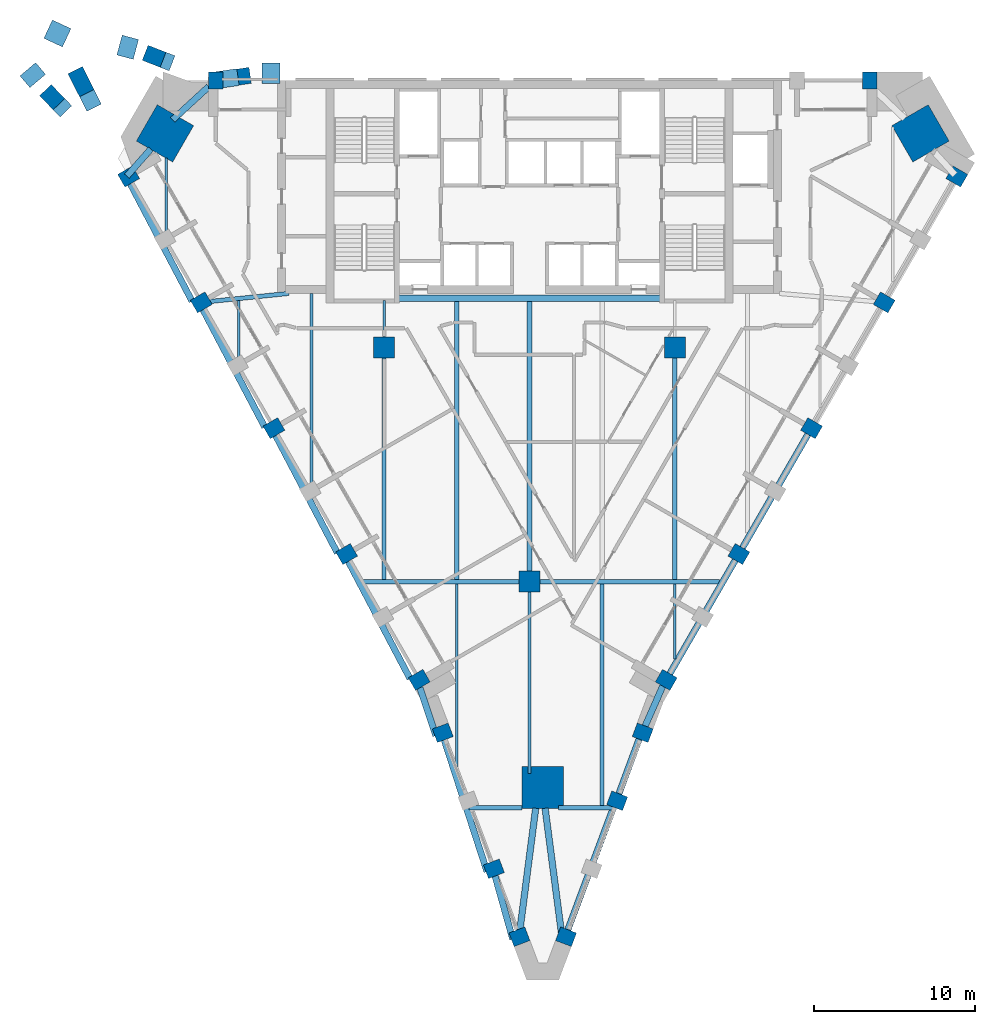
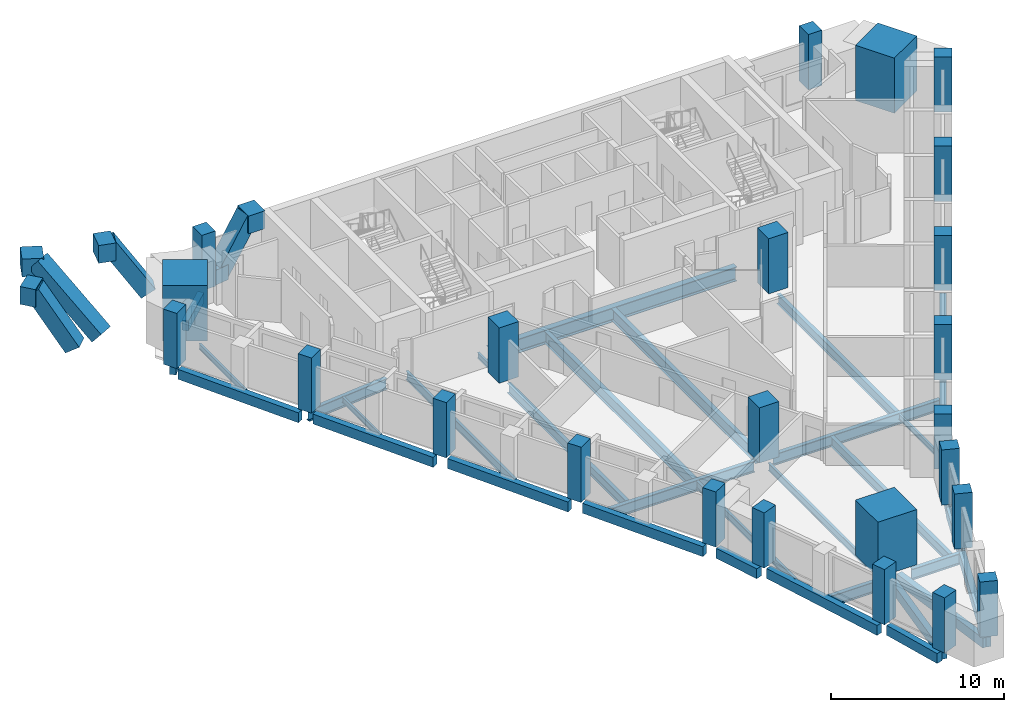
# One storey, part 1 of 10: 39 beams, 28 columns.
"""IFC4 building model written with IfcOpenShell, lengths in metres."""

from ifc_helpers import new_model, si_unit, direction, frame, origin, origin_2d, place, context, subcontext, project, spatial, rectangle, i_section, extrude, clip, halfspace, material, material_profile, profile_set, type_object, element, save


model = new_model("IFC4")

# Units and contexts
model_context = context("Model", 3, precision=1e-05, world=origin(), true_north=direction((0.0, 1.0)))
body_context = subcontext(model_context, "Body", "Model", "MODEL_VIEW")
ifc_project = project(units=[si_unit("LENGTHUNIT", "METRE"), si_unit("AREAUNIT", "SQUARE_METRE"), si_unit("VOLUMEUNIT", "CUBIC_METRE"), si_unit("PLANEANGLEUNIT", "RADIAN"), si_unit("MASSUNIT", "GRAM", prefix="KILO")], contexts=[model_context])

# Site, building, storey
site_placement = place(None, origin())
site = spatial("IfcSite", under=ifc_project, at=site_placement, CompositionType="ELEMENT")
building_placement = place(site_placement, origin())
building = spatial("IfcBuilding", under=site, at=building_placement, Name="Calabash Gate Tower", CompositionType="ELEMENT")
storey_placement = place(building_placement, frame((0.0, 0.0, 187.5)))
storey = spatial("IfcBuildingStorey", under=building, at=storey_placement, Name="L44", CompositionType="ELEMENT", Elevation=187.5)

# Columns
ifc_material_1 = material(Name="Concrete C70/85", Category="concrete")
ifc_material_profile_1 = material_profile(ifc_material_1, rectangle(XDim=1.300048828125, YDim=1.300048828125, at=origin_2d()))
ifc_profile_set_1 = profile_set([ifc_material_profile_1], Name="Concrete C70/85")
column_type_1 = type_object("IfcColumnType", Name="Interior column RC 1300x1300 Concrete C70/85", PredefinedType="COLUMN", material=ifc_profile_set_1)
for number, where, z_axis, x_axis, name in (
    (1, (-9.0, 2.5, 0.0), (0.0, 0.0, 1.0), (1.0, 0.0, 0.0), "Interior column L44 I0"),
    (2, (9.0, 2.5, 0.0), (0.0, 0.0, 1.0), (1.0, 0.0, 0.0), "Interior column L44 I1"),
    (3, (0.0, -12.0, 0.0), (0.0, 0.0, 1.0), (1.0, 0.0, 0.0), "Interior column L44 I2"),
):
    element("IfcColumn", number, at=place(storey_placement, frame(where, z_axis=z_axis, x_axis=x_axis)), inside=storey, type_object=column_type_1, Name=name, PredefinedType="COLUMN", context=body_context, shape_type="SweptSolid", body=[
        extrude(rectangle(XDim=1.300048828125, YDim=1.300048828125, at=origin_2d()), origin(), (0.0, 0.0, 1.0), 3.89990234375),
    ])
ifc_material_2 = material(Name="Concrete C70/85", Category="concrete")
ifc_material_profile_2 = material_profile(ifc_material_2, rectangle(XDim=2.60009765625, YDim=2.60009765625, at=origin_2d()))
ifc_profile_set_2 = profile_set([ifc_material_profile_2], Name="Concrete C70/85")
column_type_2 = type_object("IfcColumnType", Name="Mega column RC 2600x2600 Concrete C70/85", PredefinedType="COLUMN", material=ifc_profile_set_2)
for number, where, z_axis, x_axis, name in (
    (4, (-22.577880859375, 15.76806640625, 0.0), (0.0, 0.0, 1.0), (0.866025421238, -0.49999996977, 0.0), "Mega column L44 NW"),
    (5, (24.221923828125, 15.76806640625, 0.0), (0.0, 0.0, 1.0), (-0.866025421238, -0.49999996977, 0.0), "Mega column L44 NE"),
    (6, (0.822021484375, -24.762939453125, 0.0), (0.0, 0.0, 1.0), (0.0, 1.0, 0.0), "Mega column L44 S"),
):
    element("IfcColumn", number, at=place(storey_placement, frame(where, z_axis=z_axis, x_axis=x_axis)), inside=storey, type_object=column_type_2, Name=name, PredefinedType="COLUMN", context=body_context, shape_type="SweptSolid", body=[
        extrude(rectangle(XDim=2.60009765625, YDim=2.60009765625, at=origin_2d()), origin(), (0.0, 0.0, 1.0), 3.89990234375),
    ])
ifc_material_3 = material(Name="Concrete C60/75", Category="concrete")
ifc_material_profile_3 = material_profile(ifc_material_3, rectangle(XDim=0.89990234375, YDim=1.050048828125, at=origin_2d()))
ifc_profile_set_3 = profile_set([ifc_material_profile_3], Name="Concrete C60/75")
column_type_3 = type_object("IfcColumnType", Name="Perimeter column RC 900x1050 Concrete C60/75", PredefinedType="COLUMN", material=ifc_profile_set_3)
for number, where, z_axis, x_axis, name in (
    (7, (-24.827880859375, 13.096923828125, 0.0), (0.0, 0.0, 1.0), (0.5, -0.866025403784, 0.0), "Perimeter column L44 P20"),
    (8, (-20.327880859375, 5.300048828125, 0.0), (0.0, 0.0, 1.0), (0.5, -0.866025403784, 0.0), "Perimeter column L44 P00"),
    (9, (-15.827880859375, -2.493896484375, 0.0), (0.0, 0.0, 1.0), (0.5, -0.866025403784, 0.0), "Perimeter column L44 P01"),
    (10, (-11.327880859375, -10.2880859375, 0.0), (0.0, 0.0, 1.0), (0.5, -0.866025403784, 0.0), "Perimeter column L44 P02"),
    (11, (-6.827880859375, -18.08203125, 0.0), (0.0, 0.0, 1.0), (0.5, -0.866025403784, 0.0), "Perimeter column L44 P03"),
    (12, (-5.3701171875, -21.35888671875, 0.0), (0.0, 0.0, 1.0), (0.351822500991, -0.936066732555, 0.0), "Perimeter column L44 P25"),
    (13, (-2.202880859375, -29.783935546875, 0.0), (0.0, 0.0, 1.0), (0.351822500991, -0.936066732555, 0.0), "Perimeter column L44 P26"),
    (14, (-0.6201171875, -33.99609375, 0.0), (0.0, 0.0, 1.0), (0.351822500991, -0.936066732555, 0.0), "Perimeter column L44 P27"),
    (15, (2.263916015625, -33.99609375, 0.0), (0.0, 0.0, 1.0), (0.351822451979, 0.936066750977, 0.0), "Perimeter column L44 P28"),
    (16, (5.429931640625, -25.571044921875, 0.0), (0.0, 0.0, 1.0), (0.351822451979, 0.936066750977, 0.0), "Perimeter column L44 P08"),
    (17, (7.012939453125, -21.35888671875, 0.0), (0.0, 0.0, 1.0), (0.351822451979, 0.936066750977, 0.0), "Perimeter column L44 P29"),
    (18, (8.471923828125, -18.08203125, 0.0), (0.0, 0.0, 1.0), (0.5, 0.866025403784, 0.0), "Perimeter column L44 P09"),
    (19, (12.971923828125, -10.2880859375, 0.0), (0.0, 0.0, 1.0), (0.5, 0.866025403784, 0.0), "Perimeter column L44 P10"),
    (20, (17.471923828125, -2.493896484375, 0.0), (0.0, 0.0, 1.0), (0.5, 0.866025403784, 0.0), "Perimeter column L44 P11"),
    (21, (21.971923828125, 5.300048828125, 0.0), (0.0, 0.0, 1.0), (0.5, 0.866025403784, 0.0), "Perimeter column L44 P12"),
    (22, (26.471923828125, 13.096923828125, 0.0), (0.0, 0.0, 1.0), (0.5, 0.866025403784, 0.0), "Perimeter column L44 P13"),
    (23, (21.072021484375, 19.052978515625, 0.0), (0.0, 0.0, 1.0), (-1.0, 0.0, 0.0), "Perimeter column L44 P24"),
    (24, (-19.427978515625, 19.052978515625, 0.0), (0.0, 0.0, 1.0), (-1.0, 0.0, 0.0), "Perimeter column L44 P17"),
):
    element("IfcColumn", number, at=place(storey_placement, frame(where, z_axis=z_axis, x_axis=x_axis)), inside=storey, type_object=column_type_3, Name=name, PredefinedType="COLUMN", context=body_context, shape_type="SweptSolid", body=[
        extrude(rectangle(XDim=0.89990234375, YDim=1.050048828125, at=origin_2d()), origin(), (0.0, 0.0, 1.0), 3.89990234375),
    ])
ifc_material_4 = material(Name="Concrete C80/95", Category="concrete")
ifc_material_profile_4 = material_profile(ifc_material_4, rectangle(XDim=1.0, YDim=1.0, at=origin_2d()))
ifc_profile_set_4 = profile_set([ifc_material_profile_4], Name="Concrete C80/95")
column_type_4 = type_object("IfcColumnType", Name="Prow kicker column RC 1000x1000 Concrete C80/95", PredefinedType="COLUMN", material=ifc_profile_set_4)
column_1_placement = place(storey_placement, frame((-18.47900390625, 19.19091796875, 0.388916015625), z_axis=(0.572757678117, 0.083637023584, 0.815446804178), x_axis=(-0.80688939197, -0.117826141288, 0.578832021882)))
element("IfcColumn", 25, at=column_1_placement, inside=storey, type_object=column_type_4, Name="Prow kicker column L44 KP31", PredefinedType="COLUMN", context=body_context, shape_type="Clipping", body=[
    clip(extrude(rectangle(XDim=1.0, YDim=1.0, at=origin_2d()), origin(), (0.0, 0.0, 1.0), 4.3056640625), halfspace(frame((0.0, 0.0, 3.945556640625), z_axis=(0.0, 0.0, 1.0), x_axis=(1.0, 0.0, 0.0)), False)),
])
column_2_placement = place(storey_placement, frame((-22.530029296875, 20.260986328125, 0.0), z_axis=(-0.503854098223, 0.196265073587, 0.841196212898), x_axis=(0.783829564406, -0.30532324274, 0.540729998618)))
element("IfcColumn", 26, at=column_2_placement, inside=storey, type_object=column_type_4, Name="Prow kicker column L44 KP32", PredefinedType="COLUMN", context=body_context, shape_type="Clipping", body=[
    clip(extrude(rectangle(XDim=1.0, YDim=1.0, at=origin_2d()), origin(), (0.0, 0.0, 1.0), 4.63623046875), halfspace(frame((0.0, 0.0, 4.31005859375), z_axis=(0.0, 0.0, 1.0), x_axis=(1.0, 0.0, 0.0)), False)),
])
column_3_placement = place(storey_placement, frame((-27.10791015625, 17.632080078125, 0.0), z_axis=(-0.350393081584, 0.697223507254, 0.625383138013), x_axis=(0.280821370213, -0.55878746169, 0.78031783953)))
element("IfcColumn", 27, at=column_3_placement, inside=storey, type_object=column_type_4, Name="Prow kicker column L44 KP33", PredefinedType="COLUMN", context=body_context, shape_type="Clipping", body=[
    clip(extrude(rectangle(XDim=1.0, YDim=1.0, at=origin_2d()), origin(), (0.0, 0.0, 1.0), 6.236083984375), halfspace(frame((0.0, 0.0, 5.60595703125), z_axis=(0.0, 0.0, 1.0), x_axis=(1.0, 0.0, 0.0)), False)),
])
column_4_placement = place(storey_placement, frame((-29.0009765625, 17.427001953125, 0.0), z_axis=(-0.388282148012, 0.402759058248, 0.828867971715), x_axis=(0.575275602416, -0.596724472264, 0.559444264843)))
element("IfcColumn", 28, at=column_4_placement, inside=storey, type_object=column_type_4, Name="Prow kicker column L44 KP34", PredefinedType="COLUMN", context=body_context, shape_type="Clipping", body=[
    clip(extrude(rectangle(XDim=1.0, YDim=1.0, at=origin_2d()), origin(), (0.0, 0.0, 1.0), 4.705078125), halfspace(frame((0.0, 0.0, 4.363037109375), z_axis=(0.0, 0.0, 1.0), x_axis=(1.0, 0.0, 0.0)), False)),
])

# Beams
ifc_material_5 = material(Name="Concrete C50/60", Category="concrete")
ifc_material_profile_5 = material_profile(ifc_material_5, rectangle(XDim=0.39990234375, YDim=0.699951171875, at=origin_2d()))
ifc_profile_set_5 = profile_set([ifc_material_profile_5], Name="Concrete C50/60")
beam_type_1 = type_object("IfcBeamType", Name="Edge beam RC 400x700 Concrete C50/60", PredefinedType="BEAM", material=ifc_profile_set_5)
for number, where, z_axis, x_axis, name in (
    (29, (-15.73291015625, -2.927978515625, -0.52001953125), (0.465570473205, -0.885010810374, 0.0), (0.885010810374, 0.465570473205, 0.0), "Edge beam L44 1"),
    (30, (-11.23291015625, -10.721923828125, -0.52001953125), (0.465570473205, -0.885010810374, 0.0), (0.885010810374, 0.465570473205, 0.0), "Edge beam L44 2"),
):
    element("IfcBeam", number, at=place(storey_placement, frame(where, z_axis=z_axis, x_axis=x_axis)), inside=storey, type_object=beam_type_1, Name=name, PredefinedType="BEAM", context=body_context, shape_type="SweptSolid", body=[
        extrude(rectangle(XDim=0.39990234375, YDim=0.699951171875, at=origin_2d()), origin(), (0.0, 0.0, 1.0), 8.235107421875),
    ])
beam_1_placement = place(storey_placement, frame((-6.7880859375, -18.56103515625, -0.52001953125), z_axis=(0.316134210582, -0.94871447807, 0.0), x_axis=(0.94871447807, 0.316134210582, 0.0)))
element("IfcBeam", 31, at=beam_1_placement, inside=storey, type_object=beam_type_1, Name="Edge beam L44 3", PredefinedType="BEAM", context=body_context, shape_type="SweptSolid", body=[
    extrude(rectangle(XDim=0.39990234375, YDim=0.699951171875, at=origin_2d()), origin(), (0.0, 0.0, 1.0), 3.131591796875),
])
beam_2_placement = place(storey_placement, frame((-5.285888671875, -21.780029296875, -0.52001953125), z_axis=(0.309062313069, -0.951041790165, 0.0), x_axis=(0.951041790165, 0.309062313069, 0.0)))
element("IfcBeam", 32, at=beam_2_placement, inside=storey, type_object=beam_type_1, Name="Edge beam L44 4", PredefinedType="BEAM", context=body_context, shape_type="SweptSolid", body=[
    extrude(rectangle(XDim=0.39990234375, YDim=0.699951171875, at=origin_2d()), origin(), (0.0, 0.0, 1.0), 8.596923828125),
])
beam_3_placement = place(storey_placement, frame((-2.132080078125, -30.220947265625, -0.52001953125), z_axis=(0.269266074932, -0.963065823758, 0.0), x_axis=(0.963065823758, 0.269266074932, 0.0)))
element("IfcBeam", 33, at=beam_3_placement, inside=storey, type_object=beam_type_1, Name="Edge beam L44 5", PredefinedType="BEAM", context=body_context, shape_type="SweptSolid", body=[
    extrude(rectangle(XDim=0.39990234375, YDim=0.699951171875, at=origin_2d()), origin(), (0.0, 0.0, 1.0), 4.08203125),
])
beam_4_placement = place(storey_placement, frame((-0.64794921875, -34.009033203125, -0.52001953125), z_axis=(0.128673439802, 0.991687020128, 0.0), x_axis=(-0.991687020128, 0.128673439802, 0.0)))
element("IfcBeam", 34, at=beam_4_placement, inside=storey, type_object=beam_type_1, Name="Edge beam L44 6", PredefinedType="BEAM", context=body_context, shape_type="SweptSolid", body=[
    extrude(rectangle(XDim=0.39990234375, YDim=0.699951171875, at=origin_2d()), origin(), (0.0, 0.0, 1.0), 8.04296875),
])
beam_5_placement = place(storey_placement, frame((0.968994140625, -26.032958984375, -0.52001953125), z_axis=(0.130054637387, -0.991506828667, 0.0), x_axis=(0.991506828667, 0.130054637387, 0.0)))
element("IfcBeam", 35, at=beam_5_placement, inside=storey, type_object=beam_type_1, Name="Edge beam L44 7", PredefinedType="BEAM", context=body_context, shape_type="SweptSolid", body=[
    extrude(rectangle(XDim=0.39990234375, YDim=0.699951171875, at=origin_2d()), origin(), (0.0, 0.0, 1.0), 8.212890625),
])
beam_6_placement = place(storey_placement, frame((2.136962890625, -34.20703125, -0.52001953125), z_axis=(0.349607583285, 0.936896225689, 0.0), x_axis=(-0.936896225689, 0.349607583285, 0.0)))
element("IfcBeam", 36, at=beam_6_placement, inside=storey, type_object=beam_type_1, Name="Edge beam L44 8", PredefinedType="BEAM", context=body_context, shape_type="SweptSolid", body=[
    extrude(rectangle(XDim=0.39990234375, YDim=0.699951171875, at=origin_2d()), origin(), (0.0, 0.0, 1.0), 8.81005859375),
])
beam_7_placement = place(storey_placement, frame((5.302978515625, -25.781982421875, -0.52001953125), z_axis=(0.346996920435, 0.937866268296, 0.0), x_axis=(-0.937866268296, 0.346996920435, 0.0)))
element("IfcBeam", 37, at=beam_7_placement, inside=storey, type_object=beam_type_1, Name="Edge beam L44 9", PredefinedType="BEAM", context=body_context, shape_type="SweptSolid", body=[
    extrude(rectangle(XDim=0.39990234375, YDim=0.699951171875, at=origin_2d()), origin(), (0.0, 0.0, 1.0), 4.308837890625),
])
beam_8_placement = place(storey_placement, frame((6.884033203125, -21.5791015625, -0.52001953125), z_axis=(0.403341784402, 0.915049400282, 0.0), x_axis=(-0.915049400282, 0.403341784402, 0.0)))
element("IfcBeam", 38, at=beam_8_placement, inside=storey, type_object=beam_type_1, Name="Edge beam L44 10", PredefinedType="BEAM", context=body_context, shape_type="SweptSolid", body=[
    extrude(rectangle(XDim=0.39990234375, YDim=0.699951171875, at=origin_2d()), origin(), (0.0, 0.0, 1.0), 3.404296875),
])
beam_9_placement = place(storey_placement, frame((8.48095703125, -18.06689453125, -0.52001953125), z_axis=(0.499855959696, 0.866108549523, 0.0), x_axis=(-0.866108549523, 0.499855959696, 0.0)))
element("IfcBeam", 39, at=beam_9_placement, inside=storey, type_object=beam_type_1, Name="Edge beam L44 11", PredefinedType="BEAM", context=body_context, shape_type="SweptSolid", body=[
    extrude(rectangle(XDim=0.39990234375, YDim=0.699951171875, at=origin_2d()), origin(), (0.0, 0.0, 1.0), 8.54833984375),
])
beam_10_placement = place(storey_placement, frame((12.98095703125, -10.27197265625, -0.52001953125), z_axis=(0.500004369671, 0.866022880939, 0.0), x_axis=(-0.866022880939, 0.500004369671, 0.0)))
element("IfcBeam", 40, at=beam_10_placement, inside=storey, type_object=beam_type_1, Name="Edge beam L44 12", PredefinedType="BEAM", context=body_context, shape_type="SweptSolid", body=[
    extrude(rectangle(XDim=0.39990234375, YDim=0.699951171875, at=origin_2d()), origin(), (0.0, 0.0, 1.0), 8.5458984375),
])
beam_11_placement = place(storey_placement, frame((-19.860107421875, 18.6708984375, -0.52001953125), z_axis=(-0.735999636609, -0.676981931008, 0.0), x_axis=(0.676981931008, -0.735999636609, 0.0)))
element("IfcBeam", 41, at=beam_11_placement, inside=storey, type_object=beam_type_1, Name="Edge beam L44 17", PredefinedType="BEAM", context=body_context, shape_type="SweptSolid", body=[
    extrude(rectangle(XDim=0.39990234375, YDim=0.699951171875, at=origin_2d()), origin(), (0.0, 0.0, 1.0), 3.048828125),
])
beam_12_placement = place(storey_placement, frame((-23.4580078125, 14.797119140625, -0.52001953125), z_axis=(-0.660495074978, -0.750830377602, 0.0), x_axis=(0.750830377602, -0.660495074978, 0.0)))
element("IfcBeam", 42, at=beam_12_placement, inside=storey, type_object=beam_type_1, Name="Edge beam L44 18", PredefinedType="BEAM", context=body_context, shape_type="SweptSolid", body=[
    extrude(rectangle(XDim=0.39990234375, YDim=0.699951171875, at=origin_2d()), origin(), (0.0, 0.0, 1.0), 2.23779296875),
])
for number, where, z_axis, x_axis, name in (
    (43, (-24.73291015625, 12.660888671875, -0.52001953125), (0.465582688922, -0.885004384043, 0.0), (0.885004384043, 0.465582688922, 0.0), "Edge beam L44 19"),
    (44, (-20.23291015625, 4.866943359375, -0.52001953125), (0.465582688922, -0.885004384043, 0.0), (0.885004384043, 0.465582688922, 0.0), "Edge beam L44 20"),
):
    element("IfcBeam", number, at=place(storey_placement, frame(where, z_axis=z_axis, x_axis=x_axis)), inside=storey, type_object=beam_type_1, Name=name, PredefinedType="BEAM", context=body_context, shape_type="SweptSolid", body=[
        extrude(rectangle(XDim=0.39990234375, YDim=0.699951171875, at=origin_2d()), origin(), (0.0, 0.0, 1.0), 8.23486328125),
    ])
ifc_material_6 = material(Name="Steel ASTM A992 Gr50", Category="steel")
ifc_material_profile_6 = material_profile(ifc_material_6, i_section(OverallWidth=0.1396484375, OverallDepth=0.398681640625, WebThickness=0.00634765625, FlangeThickness=0.0087890625, FilletRadius=0.01025390625, at=origin_2d()))
ifc_profile_set_6 = profile_set([ifc_material_profile_6], Name="Steel ASTM A992 Gr50")
beam_type_2 = type_object("IfcBeamType", Name="Floor beam W16x26 ASTM A992 Gr50", PredefinedType="BEAM", material=ifc_profile_set_6)
beam_13_placement = place(storey_placement, frame((-22.5, 8.830078125, -0.368896484375), z_axis=(0.0, 1.0, 0.0), x_axis=(-1.0, 0.0, 0.0)))
element("IfcBeam", 45, at=beam_13_placement, inside=storey, type_object=beam_type_2, Name="Floor beam L44 1", PredefinedType="BEAM", context=body_context, shape_type="SweptSolid", body=[
    extrude(i_section(OverallWidth=0.1396484375, OverallDepth=0.398681640625, WebThickness=0.00634765625, FlangeThickness=0.0087890625, FilletRadius=0.01025390625, at=origin_2d()), origin(), (0.0, 0.0, 1.0), 5.410888671875),
])
beam_14_placement = place(storey_placement, frame((-18.0, 1.035888671875, -0.368896484375), z_axis=(0.0, 1.0, 0.0), x_axis=(-1.0, 0.0, 0.0)))
element("IfcBeam", 46, at=beam_14_placement, inside=storey, type_object=beam_type_2, Name="Floor beam L44 2", PredefinedType="BEAM", context=body_context, shape_type="SweptSolid", body=[
    extrude(i_section(OverallWidth=0.1396484375, OverallDepth=0.398681640625, WebThickness=0.00634765625, FlangeThickness=0.0087890625, FilletRadius=0.01025390625, at=origin_2d()), origin(), (0.0, 0.0, 1.0), 4.39111328125),
])
beam_15_placement = place(storey_placement, frame((-9.0, 3.14990234375, -0.368896484375), z_axis=(0.0, 1.0, 0.0), x_axis=(-1.0, 0.0, 0.0)))
element("IfcBeam", 47, at=beam_15_placement, inside=storey, type_object=beam_type_2, Name="Floor beam L44 5", PredefinedType="BEAM", context=body_context, shape_type="SweptSolid", body=[
    extrude(i_section(OverallWidth=0.1396484375, OverallDepth=0.398681640625, WebThickness=0.00634765625, FlangeThickness=0.0087890625, FilletRadius=0.01025390625, at=origin_2d()), origin(), (0.0, 0.0, 1.0), 2.253173828125),
])
beam_16_placement = place(storey_placement, frame((9.0, -16.799072265625, -0.368896484375), z_axis=(0.0, 1.0, 0.0), x_axis=(-1.0, 0.0, 0.0)))
element("IfcBeam", 48, at=beam_16_placement, inside=storey, type_object=beam_type_2, Name="Floor beam L44 12", PredefinedType="BEAM", context=body_context, shape_type="SweptSolid", body=[
    extrude(i_section(OverallWidth=0.1396484375, OverallDepth=0.398681640625, WebThickness=0.00634765625, FlangeThickness=0.0087890625, FilletRadius=0.01025390625, at=origin_2d()), origin(), (0.0, 0.0, 1.0), 4.666015625),
])
ifc_material_7 = material(Name="Steel ASTM A992 Gr50", Category="steel")
ifc_material_profile_7 = material_profile(ifc_material_7, i_section(OverallWidth=0.166015625, OverallDepth=0.5283203125, WebThickness=0.009765625, FlangeThickness=0.013671875, FilletRadius=0.0126953125, at=origin_2d()))
ifc_profile_set_7 = profile_set([ifc_material_profile_7], Name="Steel ASTM A992 Gr50")
beam_type_3 = type_object("IfcBeamType", Name="Floor beam W21x50 ASTM A992 Gr50", PredefinedType="BEAM", material=ifc_profile_set_7)
beam_17_placement = place(storey_placement, frame((-4.5, -23.568115234375, -0.43408203125), z_axis=(0.0, 1.0, 0.0), x_axis=(-1.0, 0.0, 0.0)))
element("IfcBeam", 49, at=beam_17_placement, inside=storey, type_object=beam_type_3, Name="Floor beam L44 6", PredefinedType="BEAM", context=body_context, shape_type="SweptSolid", body=[
    extrude(i_section(OverallWidth=0.166015625, OverallDepth=0.5283203125, WebThickness=0.009765625, FlangeThickness=0.013671875, FilletRadius=0.0126953125, at=origin_2d()), origin(), (0.0, 0.0, 1.0), 11.43505859375),
])
beam_18_placement = place(storey_placement, frame((0.0, -23.89306640625, -0.43408203125), z_axis=(0.0, 1.0, 0.0), x_axis=(-1.0, 0.0, 0.0)))
element("IfcBeam", 50, at=beam_18_placement, inside=storey, type_object=beam_type_3, Name="Floor beam L44 8", PredefinedType="BEAM", context=body_context, shape_type="SweptSolid", body=[
    extrude(i_section(OverallWidth=0.166015625, OverallDepth=0.5283203125, WebThickness=0.009765625, FlangeThickness=0.013671875, FilletRadius=0.0126953125, at=origin_2d()), origin(), (0.0, 0.0, 1.0), 11.2431640625),
])
ifc_material_8 = material(Name="Steel ASTM A992 Gr50", Category="steel")
ifc_material_profile_8 = material_profile(ifc_material_8, i_section(OverallWidth=0.1787109375, OverallDepth=0.60205078125, WebThickness=0.010986328125, FlangeThickness=0.014892578125, FilletRadius=0.0126953125, at=origin_2d()))
ifc_profile_set_8 = profile_set([ifc_material_profile_8], Name="Steel ASTM A992 Gr50")
beam_type_4 = type_object("IfcBeamType", Name="Floor beam W24x62 ASTM A992 Gr50", PredefinedType="BEAM", material=ifc_profile_set_8)
beam_19_placement = place(storey_placement, frame((-13.5, -6.758056640625, -0.470947265625), z_axis=(0.0, 1.0, 0.0), x_axis=(-1.0, 0.0, 0.0)))
element("IfcBeam", 51, at=beam_19_placement, inside=storey, type_object=beam_type_4, Name="Floor beam L44 3", PredefinedType="BEAM", context=body_context, shape_type="SweptSolid", body=[
    extrude(i_section(OverallWidth=0.1787109375, OverallDepth=0.60205078125, WebThickness=0.010986328125, FlangeThickness=0.014892578125, FilletRadius=0.0126953125, at=origin_2d()), origin(), (0.0, 0.0, 1.0), 12.611083984375),
])
ifc_material_9 = material(Name="Steel ASTM A992 Gr50", Category="steel")
ifc_material_profile_9 = material_profile(ifc_material_9, i_section(OverallWidth=0.25390625, OverallDepth=0.67822265625, WebThickness=0.01171875, FlangeThickness=0.016357421875, FilletRadius=0.01513671875, at=origin_2d()))
ifc_profile_set_9 = profile_set([ifc_material_profile_9], Name="Steel ASTM A992 Gr50")
beam_type_5 = type_object("IfcBeamType", Name="Floor beam W27x84 ASTM A992 Gr50", PredefinedType="BEAM", material=ifc_profile_set_9)
beam_20_placement = place(storey_placement, frame((-9.0, -11.866943359375, -0.509033203125), z_axis=(0.0, 1.0, 0.0), x_axis=(-1.0, 0.0, 0.0)))
element("IfcBeam", 52, at=beam_20_placement, inside=storey, type_object=beam_type_5, Name="Floor beam L44 4", PredefinedType="BEAM", context=body_context, shape_type="SweptSolid", body=[
    extrude(i_section(OverallWidth=0.25390625, OverallDepth=0.67822265625, WebThickness=0.01171875, FlangeThickness=0.016357421875, FilletRadius=0.01513671875, at=origin_2d()), origin(), (0.0, 0.0, 1.0), 13.717041015625),
])
beam_21_placement = place(storey_placement, frame((4.5, -25.866943359375, -0.509033203125), z_axis=(0.0, 1.0, 0.0), x_axis=(-1.0, 0.0, 0.0)))
element("IfcBeam", 53, at=beam_21_placement, inside=storey, type_object=beam_type_5, Name="Floor beam L44 10", PredefinedType="BEAM", context=body_context, shape_type="SweptSolid", body=[
    extrude(i_section(OverallWidth=0.25390625, OverallDepth=0.67822265625, WebThickness=0.01171875, FlangeThickness=0.016357421875, FilletRadius=0.01513671875, at=origin_2d()), origin(), (0.0, 0.0, 1.0), 13.73388671875),
])
beam_22_placement = place(storey_placement, frame((9.0, -11.866943359375, -0.509033203125), z_axis=(0.0, 1.0, 0.0), x_axis=(-1.0, 0.0, 0.0)))
element("IfcBeam", 54, at=beam_22_placement, inside=storey, type_object=beam_type_5, Name="Floor beam L44 13", PredefinedType="BEAM", context=body_context, shape_type="SweptSolid", body=[
    extrude(i_section(OverallWidth=0.25390625, OverallDepth=0.67822265625, WebThickness=0.01171875, FlangeThickness=0.016357421875, FilletRadius=0.01513671875, at=origin_2d()), origin(), (0.0, 0.0, 1.0), 13.717041015625),
])
ifc_material_10 = material(Name="Steel ASTM A992 Gr50", Category="steel")
ifc_material_profile_10 = material_profile(ifc_material_10, i_section(OverallWidth=0.2919921875, OverallDepth=0.845703125, WebThickness=0.015380859375, FlangeThickness=0.0244140625, FilletRadius=0.017822265625, at=origin_2d()))
ifc_profile_set_10 = profile_set([ifc_material_profile_10], Name="Steel ASTM A992 Gr50")
beam_type_6 = type_object("IfcBeamType", Name="Floor beam W33x141 ASTM A992 Gr50", PredefinedType="BEAM", material=ifc_profile_set_10)
beam_23_placement = place(storey_placement, frame((-4.5, -11.866943359375, -0.593017578125), z_axis=(0.0, 1.0, 0.0), x_axis=(-1.0, 0.0, 0.0)))
element("IfcBeam", 55, at=beam_23_placement, inside=storey, type_object=beam_type_6, Name="Floor beam L44 7", PredefinedType="BEAM", context=body_context, shape_type="SweptSolid", body=[
    extrude(i_section(OverallWidth=0.2919921875, OverallDepth=0.845703125, WebThickness=0.015380859375, FlangeThickness=0.0244140625, FilletRadius=0.017822265625, at=origin_2d()), origin(), (0.0, 0.0, 1.0), 17.218994140625),
])
beam_24_placement = place(storey_placement, frame((0.0, -11.35009765625, -0.593017578125), z_axis=(0.0, 1.0, 0.0), x_axis=(-1.0, 0.0, 0.0)))
element("IfcBeam", 56, at=beam_24_placement, inside=storey, type_object=beam_type_6, Name="Floor beam L44 9", PredefinedType="BEAM", context=body_context, shape_type="SweptSolid", body=[
    extrude(i_section(OverallWidth=0.2919921875, OverallDepth=0.845703125, WebThickness=0.015380859375, FlangeThickness=0.0244140625, FilletRadius=0.017822265625, at=origin_2d()), origin(), (0.0, 0.0, 1.0), 16.7021484375),
])
ifc_material_11 = material(Name="Steel ASTM A992 Gr50", Category="steel")
ifc_material_profile_11 = material_profile(ifc_material_11, i_section(OverallWidth=0.2666015625, OverallDepth=0.77978515625, WebThickness=0.0166015625, FlangeThickness=0.030029296875, FilletRadius=0.0166015625, at=origin_2d()))
ifc_profile_set_11 = profile_set([ifc_material_profile_11], Name="Steel ASTM A992 Gr50")
beam_type_7 = type_object("IfcBeamType", Name="Girder W30x148 ASTM A992 Gr50", PredefinedType="BEAM", material=ifc_profile_set_11)
beam_25_placement = place(storey_placement, frame((-20.424072265625, 5.291015625, -0.56005859375), z_axis=(0.99481137357, 0.101736576587, 0.0), x_axis=(-0.101736576587, 0.99481137357, 0.0)))
element("IfcBeam", 57, at=beam_25_placement, inside=storey, type_object=beam_type_7, Name="Girder L44 2", PredefinedType="BEAM", context=body_context, shape_type="SweptSolid", body=[
    extrude(i_section(OverallWidth=0.2666015625, OverallDepth=0.77978515625, WebThickness=0.0166015625, FlangeThickness=0.030029296875, FilletRadius=0.0166015625, at=origin_2d()), origin(), (0.0, 0.0, 1.0), 5.552978515625),
])
beam_26_placement = place(storey_placement, frame((-10.35009765625, -12.0, -0.56005859375), z_axis=(1.0, 0.0, 0.0), x_axis=(0.0, 1.0, 0.0)))
element("IfcBeam", 58, at=beam_26_placement, inside=storey, type_object=beam_type_7, Name="Girder L44 4", PredefinedType="BEAM", context=body_context, shape_type="SweptSolid", body=[
    extrude(i_section(OverallWidth=0.2666015625, OverallDepth=0.77978515625, WebThickness=0.0166015625, FlangeThickness=0.030029296875, FilletRadius=0.0166015625, at=origin_2d()), origin(), (0.0, 0.0, 1.0), 9.7001953125),
])
beam_27_placement = place(storey_placement, frame((0.64990234375, -12.0, -0.56005859375), z_axis=(1.0, 0.0, 0.0), x_axis=(0.0, 1.0, 0.0)))
element("IfcBeam", 59, at=beam_27_placement, inside=storey, type_object=beam_type_7, Name="Girder L44 5", PredefinedType="BEAM", context=body_context, shape_type="SweptSolid", body=[
    extrude(i_section(OverallWidth=0.2666015625, OverallDepth=0.77978515625, WebThickness=0.0166015625, FlangeThickness=0.030029296875, FilletRadius=0.0166015625, at=origin_2d()), origin(), (0.0, 0.0, 1.0), 11.123046875),
])
beam_28_placement = place(storey_placement, frame((-3.72998046875, -26.0, -0.56005859375), z_axis=(1.0, 0.0, 0.0), x_axis=(0.0, 1.0, 0.0)))
element("IfcBeam", 60, at=beam_28_placement, inside=storey, type_object=beam_type_7, Name="Girder L44 6", PredefinedType="BEAM", context=body_context, shape_type="SweptSolid", body=[
    extrude(i_section(OverallWidth=0.2666015625, OverallDepth=0.77978515625, WebThickness=0.0166015625, FlangeThickness=0.030029296875, FilletRadius=0.0166015625, at=origin_2d()), origin(), (0.0, 0.0, 1.0), 3.277099609375),
])
beam_29_placement = place(storey_placement, frame((1.7900390625, -26.0, -0.56005859375), z_axis=(1.0, 0.0, 0.0), x_axis=(0.0, 1.0, 0.0)))
element("IfcBeam", 61, at=beam_29_placement, inside=storey, type_object=beam_type_7, Name="Girder L44 7", PredefinedType="BEAM", context=body_context, shape_type="SweptSolid", body=[
    extrude(i_section(OverallWidth=0.2666015625, OverallDepth=0.77978515625, WebThickness=0.0166015625, FlangeThickness=0.030029296875, FilletRadius=0.0166015625, at=origin_2d()), origin(), (0.0, 0.0, 1.0), 3.531005859375),
])
ifc_material_12 = material(Name="Steel ASTM A992 Gr50", Category="steel")
ifc_material_profile_12 = material_profile(ifc_material_12, i_section(OverallWidth=0.4013671875, OverallDepth=1.000732421875, WebThickness=0.01904296875, FlangeThickness=0.0361328125, FilletRadius=0.030029296875, at=origin_2d()))
ifc_profile_set_12 = profile_set([ifc_material_profile_12], Name="Steel ASTM A992 Gr50")
beam_type_8 = type_object("IfcBeamType", Name="Girder W40x249 ASTM A992 Gr50", PredefinedType="BEAM", material=ifc_profile_set_12)
beam_30_placement = place(storey_placement, frame((-8.25, 5.552978515625, -0.669921875), z_axis=(1.0, 0.0, 0.0), x_axis=(0.0, 1.0, 0.0)))
element("IfcBeam", 62, at=beam_30_placement, inside=storey, type_object=beam_type_8, Name="Girder L44 1", PredefinedType="BEAM", context=body_context, shape_type="SweptSolid", body=[
    extrude(i_section(OverallWidth=0.4013671875, OverallDepth=1.000732421875, WebThickness=0.01904296875, FlangeThickness=0.0361328125, FilletRadius=0.030029296875, at=origin_2d()), origin(), (0.0, 0.0, 1.0), 16.5),
])
ifc_material_13 = material(Name="Concrete C80/95", Category="concrete")
ifc_material_profile_13 = material_profile(ifc_material_13, rectangle(XDim=1.050048828125, YDim=1.050048828125, at=origin_2d()))
ifc_profile_set_13 = profile_set([ifc_material_profile_13], Name="Concrete C80/95")
beam_type_9 = type_object("IfcBeamType", Name="Transfer node RC 1050x1050 Concrete C80/95", PredefinedType="BEAM", material=ifc_profile_set_13)
beam_31_placement = place(storey_placement, frame((-19.427978515625, 19.052978515625, 0.527099609375), z_axis=(0.989547642724, 0.144206320176, 0.0), x_axis=(-0.144206320176, 0.989547642724, 0.0)))
element("IfcBeam", 63, at=beam_31_placement, inside=storey, type_object=beam_type_9, Name="Transfer node L45 prow foot P31", PredefinedType="BEAM", context=body_context, shape_type="SweptSolid", body=[
    extrude(rectangle(XDim=1.050048828125, YDim=1.050048828125, at=origin_2d()), origin(), (0.0, 0.0, 1.0), 1.386474609375),
])
ifc_material_14 = material(Name="Concrete C80/95", Category="concrete")
ifc_material_profile_14 = material_profile(ifc_material_14, rectangle(XDim=1.050048828125, YDim=1.25, at=origin_2d()))
ifc_profile_set_14 = profile_set([ifc_material_profile_14], Name="Concrete C80/95")
beam_type_10 = type_object("IfcBeamType", Name="Transfer node RC 1050x1250 Concrete C80/95", PredefinedType="BEAM", material=ifc_profile_set_14)
beam_32_placement = place(storey_placement, frame((-25.049072265625, 20.488037109375, 3.277099609375), z_axis=(0.25852455194, 0.966004687382, 0.0), x_axis=(-0.966004687382, 0.25852455194, 0.0)))
element("IfcBeam", 64, at=beam_32_placement, inside=storey, type_object=beam_type_10, Name="Transfer node L45 prow head P32", PredefinedType="BEAM", context=body_context, shape_type="SweptSolid", body=[
    extrude(rectangle(XDim=1.050048828125, YDim=1.25, at=origin_2d()), origin(), (0.0, 0.0, 1.0), 1.269287109375),
])
ifc_material_15 = material(Name="Concrete C80/95", Category="concrete")
ifc_material_profile_15 = material_profile(ifc_material_15, rectangle(XDim=1.10009765625, YDim=1.25, at=origin_2d()))
ifc_profile_set_15 = profile_set([ifc_material_profile_15], Name="Concrete C80/95")
beam_type_11 = type_object("IfcBeamType", Name="Transfer node RC 1100x1250 Concrete C80/95", PredefinedType="BEAM", material=ifc_profile_set_15)
beam_33_placement = place(storey_placement, frame((-16.012939453125, 18.85400390625, 3.277099609375), z_axis=(0.0, 1.0, 0.0), x_axis=(-1.0, 0.0, 0.0)))
element("IfcBeam", 65, at=beam_33_placement, inside=storey, type_object=beam_type_11, Name="Transfer node L45 prow head P31", PredefinedType="BEAM", context=body_context, shape_type="SweptSolid", body=[
    extrude(rectangle(XDim=1.10009765625, YDim=1.25, at=origin_2d()), origin(), (0.0, 0.0, 1.0), 1.27001953125),
])
ifc_material_16 = material(Name="Concrete C80/95", Category="concrete")
ifc_material_profile_16 = material_profile(ifc_material_16, rectangle(XDim=1.25, YDim=1.25, at=origin_2d()))
ifc_profile_set_16 = profile_set([ifc_material_profile_16], Name="Concrete C80/95")
beam_type_12 = type_object("IfcBeamType", Name="Transfer node RC 1250x1250 Concrete C80/95", PredefinedType="BEAM", material=ifc_profile_set_16)
beam_34_placement = place(storey_placement, frame((-28.6630859375, 21.68701171875, 3.277099609375), z_axis=(-0.906173317768, 0.422906512323, 0.0), x_axis=(-0.422906512323, -0.906173317768, 0.0)))
element("IfcBeam", 66, at=beam_34_placement, inside=storey, type_object=beam_type_12, Name="Transfer node L45 prow head P33", PredefinedType="BEAM", context=body_context, shape_type="SweptSolid", body=[
    extrude(rectangle(XDim=1.25, YDim=1.25, at=origin_2d()), origin(), (0.0, 0.0, 1.0), 1.27001953125),
])
ifc_material_17 = material(Name="Concrete C80/95", Category="concrete")
ifc_material_profile_17 = material_profile(ifc_material_17, rectangle(XDim=0.949951171875, YDim=1.25, at=origin_2d()))
ifc_profile_set_17 = profile_set([ifc_material_profile_17], Name="Concrete C80/95")
beam_type_13 = type_object("IfcBeamType", Name="Transfer node RC 950x1250 Concrete C80/95", PredefinedType="BEAM", material=ifc_profile_set_17)
beam_35_placement = place(storey_placement, frame((-31.2490234375, 18.964111328125, 3.277099609375), z_axis=(0.761868198756, 0.647732080203, 0.0), x_axis=(-0.647732080203, 0.761868198756, 0.0)))
element("IfcBeam", 67, at=beam_35_placement, inside=storey, type_object=beam_type_13, Name="Transfer node L45 prow head P34", PredefinedType="BEAM", context=body_context, shape_type="SweptSolid", body=[
    extrude(rectangle(XDim=0.949951171875, YDim=1.25, at=origin_2d()), origin(), (0.0, 0.0, 1.0), 1.2705078125),
])

save(model, "model.ifc")
